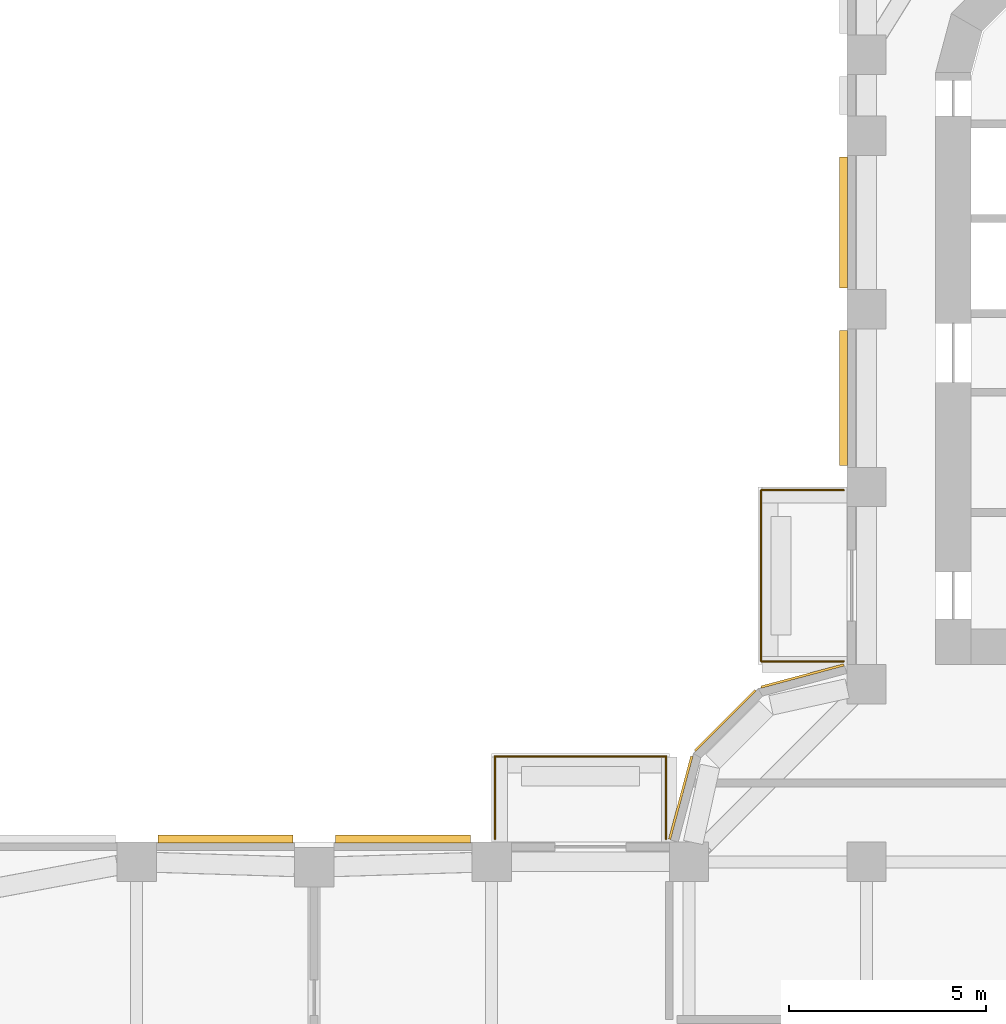
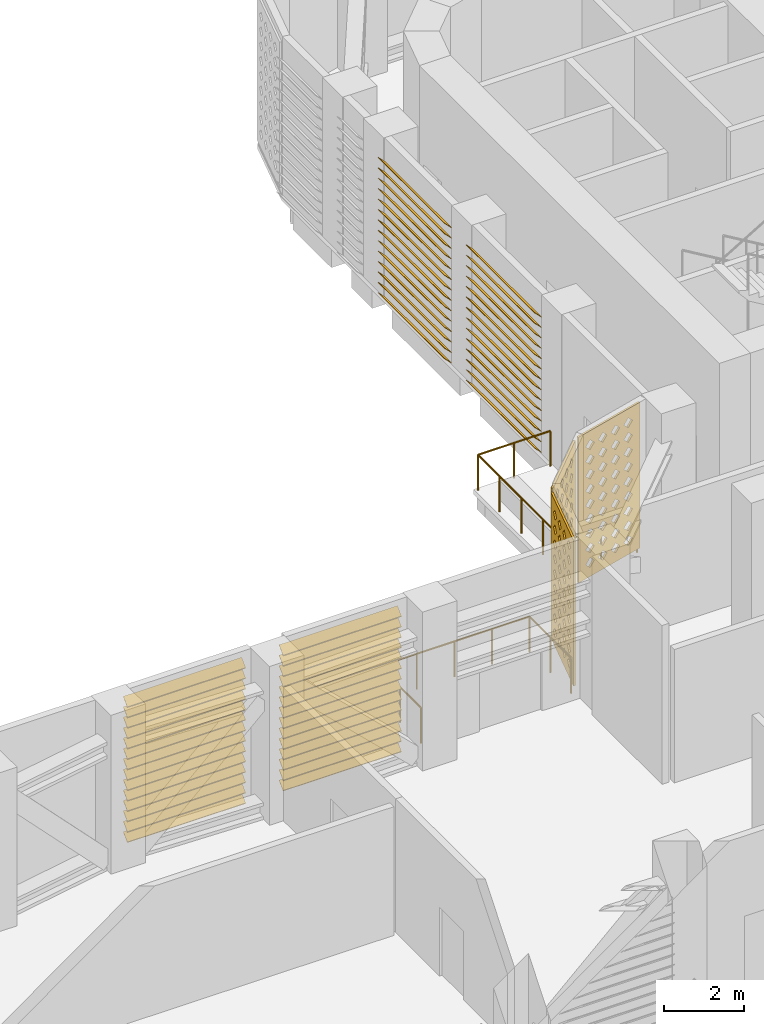
# One storey, part 15 of 20: 4 shading devices, 3 coverings, 2 railings.
"""IFC4 building model written with IfcOpenShell, lengths in metres."""

from ifc_helpers import new_model, si_unit, direction, frame, origin, origin_2d, place, context, subcontext, project, spatial, polyline, circle, outline, extrude, source, transform, mapped, material, layer, layer_set, type_object, element, save


model = new_model("IFC4")

# Units and contexts
model_context = context("Model", 3, precision=1e-05, world=origin(), true_north=direction((0.0, 1.0)))
body_context = subcontext(model_context, "Body", "Model", "MODEL_VIEW")
ifc_project = project(units=[si_unit("LENGTHUNIT", "METRE"), si_unit("AREAUNIT", "SQUARE_METRE"), si_unit("VOLUMEUNIT", "CUBIC_METRE"), si_unit("PLANEANGLEUNIT", "RADIAN"), si_unit("MASSUNIT", "GRAM", prefix="KILO")], contexts=[model_context])

# Site, building, storey
site_placement = place(None, origin())
site = spatial("IfcSite", under=ifc_project, at=site_placement, CompositionType="ELEMENT")
building_placement = place(site_placement, origin())
building = spatial("IfcBuilding", under=site, at=building_placement, Name="Zarbagh Exchange Tower", CompositionType="ELEMENT")
storey_placement = place(building_placement, frame((0.0, 0.0, 81.60009765625)))
storey = spatial("IfcBuildingStorey", under=building, at=storey_placement, Name="L18", CompositionType="ELEMENT", Elevation=81.60009765625)

# Railings
ifc_material_1 = material(Name="Stainless steel and laminated glass", Category="steel")
railing_type = type_object("IfcRailingType", Name="Terrace guard, glass balustrade 1.1 m", PredefinedType="GUARDRAIL", material=ifc_material_1)
railing_1_placement = place(storey_placement, frame((-6.830078125, 11.330078125, 0.0)))
element("IfcRailing", 1, at=railing_1_placement, inside=storey, type_object=railing_type, Name="TG01 terrace guard", PredefinedType="GUARDRAIL", context=body_context, shape_type="SweptSolid", body=[
    extrude(circle(Radius=0.02490234375, at=origin_2d()), frame((0.0, 0.0, 1.0751953125), z_axis=(-1.0, 0.0, 0.0), x_axis=(0.0, -1.0, 0.0)), (0.0, 0.0, 1.0), 2.08984375),
    extrude(circle(Radius=0.02490234375, at=origin_2d()), frame((-2.08984375, 0.0, 1.0751953125), z_axis=(0.0, 1.0, 0.0), x_axis=(-1.0, 0.0, 0.0)), (0.0, 0.0, 1.0), 4.33984375),
    extrude(circle(Radius=0.02490234375, at=origin_2d()), frame((-2.08984375, 4.33984375, 1.0751953125), z_axis=(1.0, 0.0, 0.0), x_axis=(0.0, 1.0, 0.0)), (0.0, 0.0, 1.0), 2.08984375),
    extrude(circle(Radius=0.02490234375, at=origin_2d()), origin(), (0.0, 0.0, 1.0), 1.050048828125),
    extrude(circle(Radius=0.02490234375, at=origin_2d()), frame((-1.044921875, 0.0, 0.0)), (0.0, 0.0, 1.0), 1.050048828125),
    extrude(circle(Radius=0.02490234375, at=origin_2d()), frame((-2.08984375, 0.0, 0.0)), (0.0, 0.0, 1.0), 1.050048828125),
    extrude(circle(Radius=0.02490234375, at=origin_2d()), frame((-2.08984375, 1.0849609375, 0.0)), (0.0, 0.0, 1.0), 1.050048828125),
    extrude(circle(Radius=0.02490234375, at=origin_2d()), frame((-2.08984375, 2.169921875, 0.0)), (0.0, 0.0, 1.0), 1.050048828125),
    extrude(circle(Radius=0.02490234375, at=origin_2d()), frame((-2.08984375, 3.2548828125, 0.0)), (0.0, 0.0, 1.0), 1.050048828125),
    extrude(circle(Radius=0.02490234375, at=origin_2d()), frame((-2.08984375, 4.33984375, 0.0)), (0.0, 0.0, 1.0), 1.050048828125),
    extrude(circle(Radius=0.02490234375, at=origin_2d()), frame((-1.044921875, 4.33984375, 0.0)), (0.0, 0.0, 1.0), 1.050048828125),
    extrude(circle(Radius=0.02490234375, at=origin_2d()), frame((0.0, 4.33984375, 0.0)), (0.0, 0.0, 1.0), 1.050048828125),
])
railing_2_placement = place(storey_placement, frame((-15.669921875, 6.830078125, 0.0)))
element("IfcRailing", 2, at=railing_2_placement, inside=storey, type_object=railing_type, Name="TG01 terrace guard", PredefinedType="GUARDRAIL", context=body_context, shape_type="SweptSolid", body=[
    extrude(circle(Radius=0.02490234375, at=origin_2d()), frame((0.0, 0.0, 1.0751953125), z_axis=(0.0, 1.0, 0.0), x_axis=(-1.0, 0.0, 0.0)), (0.0, 0.0, 1.0), 2.08984375),
    extrude(circle(Radius=0.02490234375, at=origin_2d()), frame((0.0, 2.08984375, 1.0751953125), z_axis=(1.0, 0.0, 0.0), x_axis=(0.0, 1.0, 0.0)), (0.0, 0.0, 1.0), 4.33984375),
    extrude(circle(Radius=0.02490234375, at=origin_2d()), frame((4.33984375, 2.08984375, 1.0751953125), z_axis=(0.0, -1.0, 0.0), x_axis=(1.0, 0.0, 0.0)), (0.0, 0.0, 1.0), 2.08984375),
    extrude(circle(Radius=0.02490234375, at=origin_2d()), origin(), (0.0, 0.0, 1.0), 1.050048828125),
    extrude(circle(Radius=0.02490234375, at=origin_2d()), frame((0.0, 1.044921875, 0.0)), (0.0, 0.0, 1.0), 1.050048828125),
    extrude(circle(Radius=0.02490234375, at=origin_2d()), frame((0.0, 2.08984375, 0.0)), (0.0, 0.0, 1.0), 1.050048828125),
    extrude(circle(Radius=0.02490234375, at=origin_2d()), frame((1.0849609375, 2.08984375, 0.0)), (0.0, 0.0, 1.0), 1.050048828125),
    extrude(circle(Radius=0.02490234375, at=origin_2d()), frame((2.169921875, 2.08984375, 0.0)), (0.0, 0.0, 1.0), 1.050048828125),
    extrude(circle(Radius=0.02490234375, at=origin_2d()), frame((3.2548828125, 2.08984375, 0.0)), (0.0, 0.0, 1.0), 1.050048828125),
    extrude(circle(Radius=0.02490234375, at=origin_2d()), frame((4.33984375, 2.08984375, 0.0)), (0.0, 0.0, 1.0), 1.050048828125),
    extrude(circle(Radius=0.02490234375, at=origin_2d()), frame((4.33984375, 1.044921875, 0.0)), (0.0, 0.0, 1.0), 1.050048828125),
    extrude(circle(Radius=0.02490234375, at=origin_2d()), frame((4.33984375, 0.0, 0.0)), (0.0, 0.0, 1.0), 1.050048828125),
])

# Covering
ifc_material_2 = material(Name="Glass-fibre reinforced concrete GFRC C50/60", Category="concrete")
ifc_layer = layer(ifc_material_2, 0.06005859375)
ifc_layer_set = layer_set([ifc_layer], Name="SCREEN jali panel, GFRC")
covering_type = type_object("IfcCoveringType", Name="SCREEN jali panel, GFRC", PredefinedType="CLADDING", material=ifc_layer_set)
shared_shape_1 = source(origin(), body_context, "Body", "SweptSolid", [
    extrude(outline(polyline([(0.0, 0.0), (2.1650390625, 0.0), (2.1650390625, 4.449951171875), (0.0, 4.449951171875), (0.0, 0.0)]), holes=[polyline([(0.257568359375, 0.425048828125), (0.407470703125, 0.27490234375), (0.5576171875, 0.425048828125), (0.407470703125, 0.574951171875), (0.257568359375, 0.425048828125)]), polyline([(0.257568359375, 0.875), (0.407470703125, 0.72509765625), (0.5576171875, 0.875), (0.407470703125, 1.02490234375), (0.257568359375, 0.875)]), polyline([(0.257568359375, 1.324951171875), (0.407470703125, 1.175048828125), (0.5576171875, 1.324951171875), (0.407470703125, 1.47509765625), (0.257568359375, 1.324951171875)]), polyline([(0.257568359375, 1.77490234375), (0.407470703125, 1.625), (0.5576171875, 1.77490234375), (0.407470703125, 1.925048828125), (0.257568359375, 1.77490234375)]), polyline([(0.257568359375, 2.22509765625), (0.407470703125, 2.074951171875), (0.5576171875, 2.22509765625), (0.407470703125, 2.375), (0.257568359375, 2.22509765625)]), polyline([(0.257568359375, 2.675048828125), (0.407470703125, 2.52490234375), (0.5576171875, 2.675048828125), (0.407470703125, 2.824951171875), (0.257568359375, 2.675048828125)]), polyline([(0.257568359375, 3.125), (0.407470703125, 2.97509765625), (0.5576171875, 3.125), (0.407470703125, 3.27490234375), (0.257568359375, 3.125)]), polyline([(0.257568359375, 3.574951171875), (0.407470703125, 3.425048828125), (0.5576171875, 3.574951171875), (0.407470703125, 3.72509765625), (0.257568359375, 3.574951171875)]), polyline([(0.257568359375, 4.02490234375), (0.407470703125, 3.875), (0.5576171875, 4.02490234375), (0.407470703125, 4.175048828125), (0.257568359375, 4.02490234375)]), polyline([(0.70751953125, 0.425048828125), (0.857421875, 0.27490234375), (1.007568359375, 0.425048828125), (0.857421875, 0.574951171875), (0.70751953125, 0.425048828125)]), polyline([(0.70751953125, 0.875), (0.857421875, 0.72509765625), (1.007568359375, 0.875), (0.857421875, 1.02490234375), (0.70751953125, 0.875)]), polyline([(0.70751953125, 1.324951171875), (0.857421875, 1.175048828125), (1.007568359375, 1.324951171875), (0.857421875, 1.47509765625), (0.70751953125, 1.324951171875)]), polyline([(0.70751953125, 1.77490234375), (0.857421875, 1.625), (1.007568359375, 1.77490234375), (0.857421875, 1.925048828125), (0.70751953125, 1.77490234375)]), polyline([(0.70751953125, 2.22509765625), (0.857421875, 2.074951171875), (1.007568359375, 2.22509765625), (0.857421875, 2.375), (0.70751953125, 2.22509765625)]), polyline([(0.70751953125, 2.675048828125), (0.857421875, 2.52490234375), (1.007568359375, 2.675048828125), (0.857421875, 2.824951171875), (0.70751953125, 2.675048828125)]), polyline([(0.70751953125, 3.125), (0.857421875, 2.97509765625), (1.007568359375, 3.125), (0.857421875, 3.27490234375), (0.70751953125, 3.125)]), polyline([(0.70751953125, 3.574951171875), (0.857421875, 3.425048828125), (1.007568359375, 3.574951171875), (0.857421875, 3.72509765625), (0.70751953125, 3.574951171875)]), polyline([(0.70751953125, 4.02490234375), (0.857421875, 3.875), (1.007568359375, 4.02490234375), (0.857421875, 4.175048828125), (0.70751953125, 4.02490234375)]), polyline([(1.157470703125, 0.425048828125), (1.3076171875, 0.27490234375), (1.45751953125, 0.425048828125), (1.3076171875, 0.574951171875), (1.157470703125, 0.425048828125)]), polyline([(1.157470703125, 0.875), (1.3076171875, 0.72509765625), (1.45751953125, 0.875), (1.3076171875, 1.02490234375), (1.157470703125, 0.875)]), polyline([(1.157470703125, 1.324951171875), (1.3076171875, 1.175048828125), (1.45751953125, 1.324951171875), (1.3076171875, 1.47509765625), (1.157470703125, 1.324951171875)]), polyline([(1.157470703125, 1.77490234375), (1.3076171875, 1.625), (1.45751953125, 1.77490234375), (1.3076171875, 1.925048828125), (1.157470703125, 1.77490234375)]), polyline([(1.157470703125, 2.22509765625), (1.3076171875, 2.074951171875), (1.45751953125, 2.22509765625), (1.3076171875, 2.375), (1.157470703125, 2.22509765625)]), polyline([(1.157470703125, 2.675048828125), (1.3076171875, 2.52490234375), (1.45751953125, 2.675048828125), (1.3076171875, 2.824951171875), (1.157470703125, 2.675048828125)]), polyline([(1.157470703125, 3.125), (1.3076171875, 2.97509765625), (1.45751953125, 3.125), (1.3076171875, 3.27490234375), (1.157470703125, 3.125)]), polyline([(1.157470703125, 3.574951171875), (1.3076171875, 3.425048828125), (1.45751953125, 3.574951171875), (1.3076171875, 3.72509765625), (1.157470703125, 3.574951171875)]), polyline([(1.157470703125, 4.02490234375), (1.3076171875, 3.875), (1.45751953125, 4.02490234375), (1.3076171875, 4.175048828125), (1.157470703125, 4.02490234375)]), polyline([(1.607421875, 0.425048828125), (1.757568359375, 0.27490234375), (1.907470703125, 0.425048828125), (1.757568359375, 0.574951171875), (1.607421875, 0.425048828125)]), polyline([(1.607421875, 0.875), (1.757568359375, 0.72509765625), (1.907470703125, 0.875), (1.757568359375, 1.02490234375), (1.607421875, 0.875)]), polyline([(1.607421875, 1.324951171875), (1.757568359375, 1.175048828125), (1.907470703125, 1.324951171875), (1.757568359375, 1.47509765625), (1.607421875, 1.324951171875)]), polyline([(1.607421875, 1.77490234375), (1.757568359375, 1.625), (1.907470703125, 1.77490234375), (1.757568359375, 1.925048828125), (1.607421875, 1.77490234375)]), polyline([(1.607421875, 2.22509765625), (1.757568359375, 2.074951171875), (1.907470703125, 2.22509765625), (1.757568359375, 2.375), (1.607421875, 2.22509765625)]), polyline([(1.607421875, 2.675048828125), (1.757568359375, 2.52490234375), (1.907470703125, 2.675048828125), (1.757568359375, 2.824951171875), (1.607421875, 2.675048828125)]), polyline([(1.607421875, 3.125), (1.757568359375, 2.97509765625), (1.907470703125, 3.125), (1.757568359375, 3.27490234375), (1.607421875, 3.125)]), polyline([(1.607421875, 3.574951171875), (1.757568359375, 3.425048828125), (1.907470703125, 3.574951171875), (1.757568359375, 3.72509765625), (1.607421875, 3.574951171875)]), polyline([(1.607421875, 4.02490234375), (1.757568359375, 3.875), (1.907470703125, 4.02490234375), (1.757568359375, 4.175048828125), (1.607421875, 4.02490234375)])]), origin(), (0.0, 0.0, 1.0), 0.06005859375),
])
placement = place(storey_placement, origin())
element("IfcCovering", 3, at=placement, inside=storey, type_object=covering_type, Name="JS25 jali screen", PredefinedType="CLADDING", context=body_context, shape_type="MappedRepresentation", body=[
    mapped(shared_shape_1, transform((-9.0439453125, 10.574951171875, 0.199951171875), x_axis=(-0.707106781187, -0.707106781187, 0.0), y_axis=(0.0, 0.0, 1.0), z_axis=(-0.707106781187, 0.707106781187, 0.0))),
])

# Shading devices
ifc_material_3 = material(Name="Anodised aluminium", Category="aluminium")
shading_device_type = type_object("IfcShadingDeviceType", Name="LOUVRE plant louvre, fixed blades", PredefinedType="USERDEFINED", material=ifc_material_3)
shared_shape_2 = source(origin(), body_context, "Body", "SweptSolid", [
    extrude(outline(polyline([(0.0, 0.199951171875), (0.199951171875, 0.0), (0.199951171875, -0.02001953125), (0.0, 0.179931640625), (0.0, 0.199951171875)])), origin(), (0.0, 0.0, 1.0), 3.320068359375),
])
element("IfcShadingDevice", 4, at=placement, inside=storey, type_object=shading_device_type, Name="LV05 plant louvre", ObjectType="LOUVRE", PredefinedType="USERDEFINED", context=body_context, shape_type="MappedRepresentation", body=[
    mapped(shared_shape_2, transform((-6.72998046875, 24.110107421875, 0.199951171875), x_axis=(-1.0, 0.0, 0.0), y_axis=(0.0, 0.0, -1.0), z_axis=(0.0, -1.0, 0.0))),
    mapped(shared_shape_2, transform((-6.72998046875, 24.110107421875, 0.517822265625), x_axis=(-1.0, 0.0, 0.0), y_axis=(0.0, 0.0, -1.0), z_axis=(0.0, -1.0, 0.0))),
    mapped(shared_shape_2, transform((-6.72998046875, 24.110107421875, 0.835693359375), x_axis=(-1.0, 0.0, 0.0), y_axis=(0.0, 0.0, -1.0), z_axis=(0.0, -1.0, 0.0))),
    mapped(shared_shape_2, transform((-6.72998046875, 24.110107421875, 1.153564453125), x_axis=(-1.0, 0.0, 0.0), y_axis=(0.0, 0.0, -1.0), z_axis=(0.0, -1.0, 0.0))),
    mapped(shared_shape_2, transform((-6.72998046875, 24.110107421875, 1.471435546875), x_axis=(-1.0, 0.0, 0.0), y_axis=(0.0, 0.0, -1.0), z_axis=(0.0, -1.0, 0.0))),
    mapped(shared_shape_2, transform((-6.72998046875, 24.110107421875, 1.789306640625), x_axis=(-1.0, 0.0, 0.0), y_axis=(0.0, 0.0, -1.0), z_axis=(0.0, -1.0, 0.0))),
    mapped(shared_shape_2, transform((-6.72998046875, 24.110107421875, 2.10693359375), x_axis=(-1.0, 0.0, 0.0), y_axis=(0.0, 0.0, -1.0), z_axis=(0.0, -1.0, 0.0))),
    mapped(shared_shape_2, transform((-6.72998046875, 24.110107421875, 2.4248046875), x_axis=(-1.0, 0.0, 0.0), y_axis=(0.0, 0.0, -1.0), z_axis=(0.0, -1.0, 0.0))),
    mapped(shared_shape_2, transform((-6.72998046875, 24.110107421875, 2.74267578125), x_axis=(-1.0, 0.0, 0.0), y_axis=(0.0, 0.0, -1.0), z_axis=(0.0, -1.0, 0.0))),
    mapped(shared_shape_2, transform((-6.72998046875, 24.110107421875, 3.060546875), x_axis=(-1.0, 0.0, 0.0), y_axis=(0.0, 0.0, -1.0), z_axis=(0.0, -1.0, 0.0))),
    mapped(shared_shape_2, transform((-6.72998046875, 24.110107421875, 3.37841796875), x_axis=(-1.0, 0.0, 0.0), y_axis=(0.0, 0.0, -1.0), z_axis=(0.0, -1.0, 0.0))),
    mapped(shared_shape_2, transform((-6.72998046875, 24.110107421875, 3.6962890625), x_axis=(-1.0, 0.0, 0.0), y_axis=(0.0, 0.0, -1.0), z_axis=(0.0, -1.0, 0.0))),
    mapped(shared_shape_2, transform((-6.72998046875, 24.110107421875, 4.01416015625), x_axis=(-1.0, 0.0, 0.0), y_axis=(0.0, 0.0, -1.0), z_axis=(0.0, -1.0, 0.0))),
    mapped(shared_shape_2, transform((-6.72998046875, 24.110107421875, 4.33203125), x_axis=(-1.0, 0.0, 0.0), y_axis=(0.0, 0.0, -1.0), z_axis=(0.0, -1.0, 0.0))),
])
shared_shape_3 = source(origin(), body_context, "Body", "SweptSolid", [
    extrude(outline(polyline([(0.0, 0.199951171875), (0.199951171875, 0.0), (0.199951171875, -0.02001953125), (0.0, 0.179931640625), (0.0, 0.199951171875)])), origin(), (0.0, 0.0, 1.0), 3.419921875),
])
element("IfcShadingDevice", 5, at=placement, inside=storey, type_object=shading_device_type, Name="LV05 plant louvre", ObjectType="LOUVRE", PredefinedType="USERDEFINED", context=body_context, shape_type="MappedRepresentation", body=[
    mapped(shared_shape_3, transform((-6.72998046875, 19.7099609375, 0.199951171875), x_axis=(-1.0, 0.0, 0.0), y_axis=(0.0, 0.0, -1.0), z_axis=(0.0, -1.0, 0.0))),
    mapped(shared_shape_3, transform((-6.72998046875, 19.7099609375, 0.517822265625), x_axis=(-1.0, 0.0, 0.0), y_axis=(0.0, 0.0, -1.0), z_axis=(0.0, -1.0, 0.0))),
    mapped(shared_shape_3, transform((-6.72998046875, 19.7099609375, 0.835693359375), x_axis=(-1.0, 0.0, 0.0), y_axis=(0.0, 0.0, -1.0), z_axis=(0.0, -1.0, 0.0))),
    mapped(shared_shape_3, transform((-6.72998046875, 19.7099609375, 1.153564453125), x_axis=(-1.0, 0.0, 0.0), y_axis=(0.0, 0.0, -1.0), z_axis=(0.0, -1.0, 0.0))),
    mapped(shared_shape_3, transform((-6.72998046875, 19.7099609375, 1.471435546875), x_axis=(-1.0, 0.0, 0.0), y_axis=(0.0, 0.0, -1.0), z_axis=(0.0, -1.0, 0.0))),
    mapped(shared_shape_3, transform((-6.72998046875, 19.7099609375, 1.789306640625), x_axis=(-1.0, 0.0, 0.0), y_axis=(0.0, 0.0, -1.0), z_axis=(0.0, -1.0, 0.0))),
    mapped(shared_shape_3, transform((-6.72998046875, 19.7099609375, 2.10693359375), x_axis=(-1.0, 0.0, 0.0), y_axis=(0.0, 0.0, -1.0), z_axis=(0.0, -1.0, 0.0))),
    mapped(shared_shape_3, transform((-6.72998046875, 19.7099609375, 2.4248046875), x_axis=(-1.0, 0.0, 0.0), y_axis=(0.0, 0.0, -1.0), z_axis=(0.0, -1.0, 0.0))),
    mapped(shared_shape_3, transform((-6.72998046875, 19.7099609375, 2.74267578125), x_axis=(-1.0, 0.0, 0.0), y_axis=(0.0, 0.0, -1.0), z_axis=(0.0, -1.0, 0.0))),
    mapped(shared_shape_3, transform((-6.72998046875, 19.7099609375, 3.060546875), x_axis=(-1.0, 0.0, 0.0), y_axis=(0.0, 0.0, -1.0), z_axis=(0.0, -1.0, 0.0))),
    mapped(shared_shape_3, transform((-6.72998046875, 19.7099609375, 3.37841796875), x_axis=(-1.0, 0.0, 0.0), y_axis=(0.0, 0.0, -1.0), z_axis=(0.0, -1.0, 0.0))),
    mapped(shared_shape_3, transform((-6.72998046875, 19.7099609375, 3.6962890625), x_axis=(-1.0, 0.0, 0.0), y_axis=(0.0, 0.0, -1.0), z_axis=(0.0, -1.0, 0.0))),
    mapped(shared_shape_3, transform((-6.72998046875, 19.7099609375, 4.01416015625), x_axis=(-1.0, 0.0, 0.0), y_axis=(0.0, 0.0, -1.0), z_axis=(0.0, -1.0, 0.0))),
    mapped(shared_shape_3, transform((-6.72998046875, 19.7099609375, 4.33203125), x_axis=(-1.0, 0.0, 0.0), y_axis=(0.0, 0.0, -1.0), z_axis=(0.0, -1.0, 0.0))),
])
element("IfcShadingDevice", 6, at=placement, inside=storey, type_object=shading_device_type, Name="LV06 plant louvre", ObjectType="LOUVRE", PredefinedType="USERDEFINED", context=body_context, shape_type="MappedRepresentation", body=[
    mapped(shared_shape_3, transform((-16.2900390625, 6.72998046875, 0.199951171875), x_axis=(0.0, 1.0, 0.0), y_axis=(0.0, 0.0, -1.0), z_axis=(-1.0, 0.0, 0.0))),
    mapped(shared_shape_3, transform((-16.2900390625, 6.72998046875, 0.517822265625), x_axis=(0.0, 1.0, 0.0), y_axis=(0.0, 0.0, -1.0), z_axis=(-1.0, 0.0, 0.0))),
    mapped(shared_shape_3, transform((-16.2900390625, 6.72998046875, 0.835693359375), x_axis=(0.0, 1.0, 0.0), y_axis=(0.0, 0.0, -1.0), z_axis=(-1.0, 0.0, 0.0))),
    mapped(shared_shape_3, transform((-16.2900390625, 6.72998046875, 1.153564453125), x_axis=(0.0, 1.0, 0.0), y_axis=(0.0, 0.0, -1.0), z_axis=(-1.0, 0.0, 0.0))),
    mapped(shared_shape_3, transform((-16.2900390625, 6.72998046875, 1.471435546875), x_axis=(0.0, 1.0, 0.0), y_axis=(0.0, 0.0, -1.0), z_axis=(-1.0, 0.0, 0.0))),
    mapped(shared_shape_3, transform((-16.2900390625, 6.72998046875, 1.789306640625), x_axis=(0.0, 1.0, 0.0), y_axis=(0.0, 0.0, -1.0), z_axis=(-1.0, 0.0, 0.0))),
    mapped(shared_shape_3, transform((-16.2900390625, 6.72998046875, 2.10693359375), x_axis=(0.0, 1.0, 0.0), y_axis=(0.0, 0.0, -1.0), z_axis=(-1.0, 0.0, 0.0))),
    mapped(shared_shape_3, transform((-16.2900390625, 6.72998046875, 2.4248046875), x_axis=(0.0, 1.0, 0.0), y_axis=(0.0, 0.0, -1.0), z_axis=(-1.0, 0.0, 0.0))),
    mapped(shared_shape_3, transform((-16.2900390625, 6.72998046875, 2.74267578125), x_axis=(0.0, 1.0, 0.0), y_axis=(0.0, 0.0, -1.0), z_axis=(-1.0, 0.0, 0.0))),
    mapped(shared_shape_3, transform((-16.2900390625, 6.72998046875, 3.060546875), x_axis=(0.0, 1.0, 0.0), y_axis=(0.0, 0.0, -1.0), z_axis=(-1.0, 0.0, 0.0))),
    mapped(shared_shape_3, transform((-16.2900390625, 6.72998046875, 3.37841796875), x_axis=(0.0, 1.0, 0.0), y_axis=(0.0, 0.0, -1.0), z_axis=(-1.0, 0.0, 0.0))),
    mapped(shared_shape_3, transform((-16.2900390625, 6.72998046875, 3.6962890625), x_axis=(0.0, 1.0, 0.0), y_axis=(0.0, 0.0, -1.0), z_axis=(-1.0, 0.0, 0.0))),
    mapped(shared_shape_3, transform((-16.2900390625, 6.72998046875, 4.01416015625), x_axis=(0.0, 1.0, 0.0), y_axis=(0.0, 0.0, -1.0), z_axis=(-1.0, 0.0, 0.0))),
    mapped(shared_shape_3, transform((-16.2900390625, 6.72998046875, 4.33203125), x_axis=(0.0, 1.0, 0.0), y_axis=(0.0, 0.0, -1.0), z_axis=(-1.0, 0.0, 0.0))),
])
element("IfcShadingDevice", 7, at=placement, inside=storey, type_object=shading_device_type, Name="LV06 plant louvre", ObjectType="LOUVRE", PredefinedType="USERDEFINED", context=body_context, shape_type="MappedRepresentation", body=[
    mapped(shared_shape_3, transform((-20.7900390625, 6.72998046875, 0.199951171875), x_axis=(0.0, 1.0, 0.0), y_axis=(0.0, 0.0, -1.0), z_axis=(-1.0, 0.0, 0.0))),
    mapped(shared_shape_3, transform((-20.7900390625, 6.72998046875, 0.517822265625), x_axis=(0.0, 1.0, 0.0), y_axis=(0.0, 0.0, -1.0), z_axis=(-1.0, 0.0, 0.0))),
    mapped(shared_shape_3, transform((-20.7900390625, 6.72998046875, 0.835693359375), x_axis=(0.0, 1.0, 0.0), y_axis=(0.0, 0.0, -1.0), z_axis=(-1.0, 0.0, 0.0))),
    mapped(shared_shape_3, transform((-20.7900390625, 6.72998046875, 1.153564453125), x_axis=(0.0, 1.0, 0.0), y_axis=(0.0, 0.0, -1.0), z_axis=(-1.0, 0.0, 0.0))),
    mapped(shared_shape_3, transform((-20.7900390625, 6.72998046875, 1.471435546875), x_axis=(0.0, 1.0, 0.0), y_axis=(0.0, 0.0, -1.0), z_axis=(-1.0, 0.0, 0.0))),
    mapped(shared_shape_3, transform((-20.7900390625, 6.72998046875, 1.789306640625), x_axis=(0.0, 1.0, 0.0), y_axis=(0.0, 0.0, -1.0), z_axis=(-1.0, 0.0, 0.0))),
    mapped(shared_shape_3, transform((-20.7900390625, 6.72998046875, 2.10693359375), x_axis=(0.0, 1.0, 0.0), y_axis=(0.0, 0.0, -1.0), z_axis=(-1.0, 0.0, 0.0))),
    mapped(shared_shape_3, transform((-20.7900390625, 6.72998046875, 2.4248046875), x_axis=(0.0, 1.0, 0.0), y_axis=(0.0, 0.0, -1.0), z_axis=(-1.0, 0.0, 0.0))),
    mapped(shared_shape_3, transform((-20.7900390625, 6.72998046875, 2.74267578125), x_axis=(0.0, 1.0, 0.0), y_axis=(0.0, 0.0, -1.0), z_axis=(-1.0, 0.0, 0.0))),
    mapped(shared_shape_3, transform((-20.7900390625, 6.72998046875, 3.060546875), x_axis=(0.0, 1.0, 0.0), y_axis=(0.0, 0.0, -1.0), z_axis=(-1.0, 0.0, 0.0))),
    mapped(shared_shape_3, transform((-20.7900390625, 6.72998046875, 3.37841796875), x_axis=(0.0, 1.0, 0.0), y_axis=(0.0, 0.0, -1.0), z_axis=(-1.0, 0.0, 0.0))),
    mapped(shared_shape_3, transform((-20.7900390625, 6.72998046875, 3.6962890625), x_axis=(0.0, 1.0, 0.0), y_axis=(0.0, 0.0, -1.0), z_axis=(-1.0, 0.0, 0.0))),
    mapped(shared_shape_3, transform((-20.7900390625, 6.72998046875, 4.01416015625), x_axis=(0.0, 1.0, 0.0), y_axis=(0.0, 0.0, -1.0), z_axis=(-1.0, 0.0, 0.0))),
    mapped(shared_shape_3, transform((-20.7900390625, 6.72998046875, 4.33203125), x_axis=(0.0, 1.0, 0.0), y_axis=(0.0, 0.0, -1.0), z_axis=(-1.0, 0.0, 0.0))),
])

# Coverings
shared_shape_4 = source(origin(), body_context, "Body", "SweptSolid", [
    extrude(outline(polyline([(0.0, 0.0), (2.173583984375, 0.0), (2.173583984375, 4.449951171875), (0.0, 4.449951171875), (0.0, 0.0)]), holes=[polyline([(0.261962890625, 0.425048828125), (0.411865234375, 0.27490234375), (0.561767578125, 0.425048828125), (0.411865234375, 0.574951171875), (0.261962890625, 0.425048828125)]), polyline([(0.261962890625, 0.875), (0.411865234375, 0.72509765625), (0.561767578125, 0.875), (0.411865234375, 1.02490234375), (0.261962890625, 0.875)]), polyline([(0.261962890625, 1.324951171875), (0.411865234375, 1.175048828125), (0.561767578125, 1.324951171875), (0.411865234375, 1.47509765625), (0.261962890625, 1.324951171875)]), polyline([(0.261962890625, 1.77490234375), (0.411865234375, 1.625), (0.561767578125, 1.77490234375), (0.411865234375, 1.925048828125), (0.261962890625, 1.77490234375)]), polyline([(0.261962890625, 2.22509765625), (0.411865234375, 2.074951171875), (0.561767578125, 2.22509765625), (0.411865234375, 2.375), (0.261962890625, 2.22509765625)]), polyline([(0.261962890625, 2.675048828125), (0.411865234375, 2.52490234375), (0.561767578125, 2.675048828125), (0.411865234375, 2.824951171875), (0.261962890625, 2.675048828125)]), polyline([(0.261962890625, 3.125), (0.411865234375, 2.97509765625), (0.561767578125, 3.125), (0.411865234375, 3.27490234375), (0.261962890625, 3.125)]), polyline([(0.261962890625, 3.574951171875), (0.411865234375, 3.425048828125), (0.561767578125, 3.574951171875), (0.411865234375, 3.72509765625), (0.261962890625, 3.574951171875)]), polyline([(0.261962890625, 4.02490234375), (0.411865234375, 3.875), (0.561767578125, 4.02490234375), (0.411865234375, 4.175048828125), (0.261962890625, 4.02490234375)]), polyline([(0.7119140625, 0.425048828125), (0.86181640625, 0.27490234375), (1.011962890625, 0.425048828125), (0.86181640625, 0.574951171875), (0.7119140625, 0.425048828125)]), polyline([(0.7119140625, 0.875), (0.86181640625, 0.72509765625), (1.011962890625, 0.875), (0.86181640625, 1.02490234375), (0.7119140625, 0.875)]), polyline([(0.7119140625, 1.324951171875), (0.86181640625, 1.175048828125), (1.011962890625, 1.324951171875), (0.86181640625, 1.47509765625), (0.7119140625, 1.324951171875)]), polyline([(0.7119140625, 1.77490234375), (0.86181640625, 1.625), (1.011962890625, 1.77490234375), (0.86181640625, 1.925048828125), (0.7119140625, 1.77490234375)]), polyline([(0.7119140625, 2.22509765625), (0.86181640625, 2.074951171875), (1.011962890625, 2.22509765625), (0.86181640625, 2.375), (0.7119140625, 2.22509765625)]), polyline([(0.7119140625, 2.675048828125), (0.86181640625, 2.52490234375), (1.011962890625, 2.675048828125), (0.86181640625, 2.824951171875), (0.7119140625, 2.675048828125)]), polyline([(0.7119140625, 3.125), (0.86181640625, 2.97509765625), (1.011962890625, 3.125), (0.86181640625, 3.27490234375), (0.7119140625, 3.125)]), polyline([(0.7119140625, 3.574951171875), (0.86181640625, 3.425048828125), (1.011962890625, 3.574951171875), (0.86181640625, 3.72509765625), (0.7119140625, 3.574951171875)]), polyline([(0.7119140625, 4.02490234375), (0.86181640625, 3.875), (1.011962890625, 4.02490234375), (0.86181640625, 4.175048828125), (0.7119140625, 4.02490234375)]), polyline([(1.161865234375, 0.425048828125), (1.311767578125, 0.27490234375), (1.4619140625, 0.425048828125), (1.311767578125, 0.574951171875), (1.161865234375, 0.425048828125)]), polyline([(1.161865234375, 0.875), (1.311767578125, 0.72509765625), (1.4619140625, 0.875), (1.311767578125, 1.02490234375), (1.161865234375, 0.875)]), polyline([(1.161865234375, 1.324951171875), (1.311767578125, 1.175048828125), (1.4619140625, 1.324951171875), (1.311767578125, 1.47509765625), (1.161865234375, 1.324951171875)]), polyline([(1.161865234375, 1.77490234375), (1.311767578125, 1.625), (1.4619140625, 1.77490234375), (1.311767578125, 1.925048828125), (1.161865234375, 1.77490234375)]), polyline([(1.161865234375, 2.22509765625), (1.311767578125, 2.074951171875), (1.4619140625, 2.22509765625), (1.311767578125, 2.375), (1.161865234375, 2.22509765625)]), polyline([(1.161865234375, 2.675048828125), (1.311767578125, 2.52490234375), (1.4619140625, 2.675048828125), (1.311767578125, 2.824951171875), (1.161865234375, 2.675048828125)]), polyline([(1.161865234375, 3.125), (1.311767578125, 2.97509765625), (1.4619140625, 3.125), (1.311767578125, 3.27490234375), (1.161865234375, 3.125)]), polyline([(1.161865234375, 3.574951171875), (1.311767578125, 3.425048828125), (1.4619140625, 3.574951171875), (1.311767578125, 3.72509765625), (1.161865234375, 3.574951171875)]), polyline([(1.161865234375, 4.02490234375), (1.311767578125, 3.875), (1.4619140625, 4.02490234375), (1.311767578125, 4.175048828125), (1.161865234375, 4.02490234375)]), polyline([(1.61181640625, 0.425048828125), (1.761962890625, 0.27490234375), (1.911865234375, 0.425048828125), (1.761962890625, 0.574951171875), (1.61181640625, 0.425048828125)]), polyline([(1.61181640625, 0.875), (1.761962890625, 0.72509765625), (1.911865234375, 0.875), (1.761962890625, 1.02490234375), (1.61181640625, 0.875)]), polyline([(1.61181640625, 1.324951171875), (1.761962890625, 1.175048828125), (1.911865234375, 1.324951171875), (1.761962890625, 1.47509765625), (1.61181640625, 1.324951171875)]), polyline([(1.61181640625, 1.77490234375), (1.761962890625, 1.625), (1.911865234375, 1.77490234375), (1.761962890625, 1.925048828125), (1.61181640625, 1.77490234375)]), polyline([(1.61181640625, 2.22509765625), (1.761962890625, 2.074951171875), (1.911865234375, 2.22509765625), (1.761962890625, 2.375), (1.61181640625, 2.22509765625)]), polyline([(1.61181640625, 2.675048828125), (1.761962890625, 2.52490234375), (1.911865234375, 2.675048828125), (1.761962890625, 2.824951171875), (1.61181640625, 2.675048828125)]), polyline([(1.61181640625, 3.125), (1.761962890625, 2.97509765625), (1.911865234375, 3.125), (1.761962890625, 3.27490234375), (1.61181640625, 3.125)]), polyline([(1.61181640625, 3.574951171875), (1.761962890625, 3.425048828125), (1.911865234375, 3.574951171875), (1.761962890625, 3.72509765625), (1.61181640625, 3.574951171875)]), polyline([(1.61181640625, 4.02490234375), (1.761962890625, 3.875), (1.911865234375, 4.02490234375), (1.761962890625, 4.175048828125), (1.61181640625, 4.02490234375)])]), origin(), (0.0, 0.0, 1.0), 0.06005859375),
])
element("IfcCovering", 8, at=placement, inside=storey, type_object=covering_type, Name="JS24 jali screen", PredefinedType="CLADDING", context=body_context, shape_type="MappedRepresentation", body=[
    mapped(shared_shape_4, transform((-6.81591796875, 11.211669921875, 0.199951171875), x_axis=(-0.965924215207, -0.258825057666, 0.0), y_axis=(0.0, 0.0, 1.0), z_axis=(-0.258825057666, 0.965924215207, 0.0))),
])
element("IfcCovering", 9, at=placement, inside=storey, type_object=covering_type, Name="JS26 jali screen", PredefinedType="CLADDING", context=body_context, shape_type="MappedRepresentation", body=[
    mapped(shared_shape_4, transform((-10.64892578125, 8.91552734375, 0.199951171875), x_axis=(-0.258825057666, -0.965924215207, 0.0), y_axis=(0.0, 0.0, 1.0), z_axis=(-0.965924215207, 0.258825057666, 0.0))),
])

save(model, "model.ifc")
